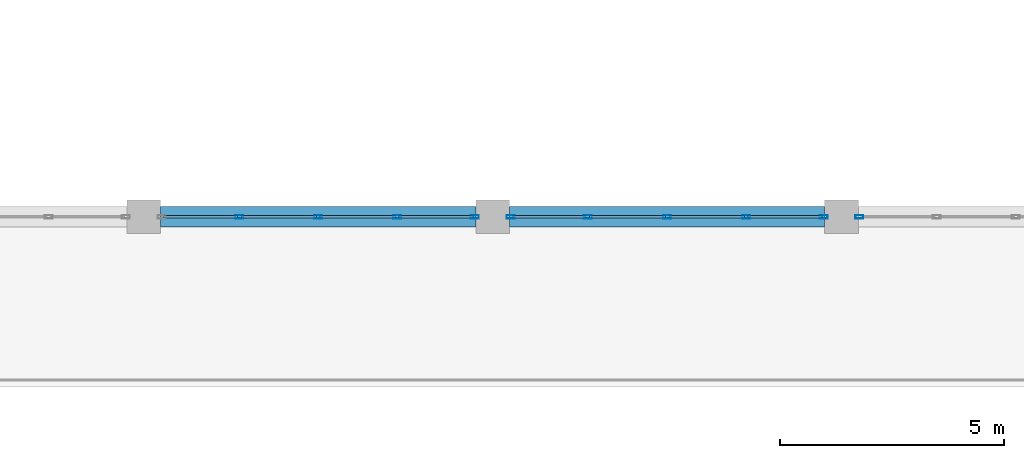
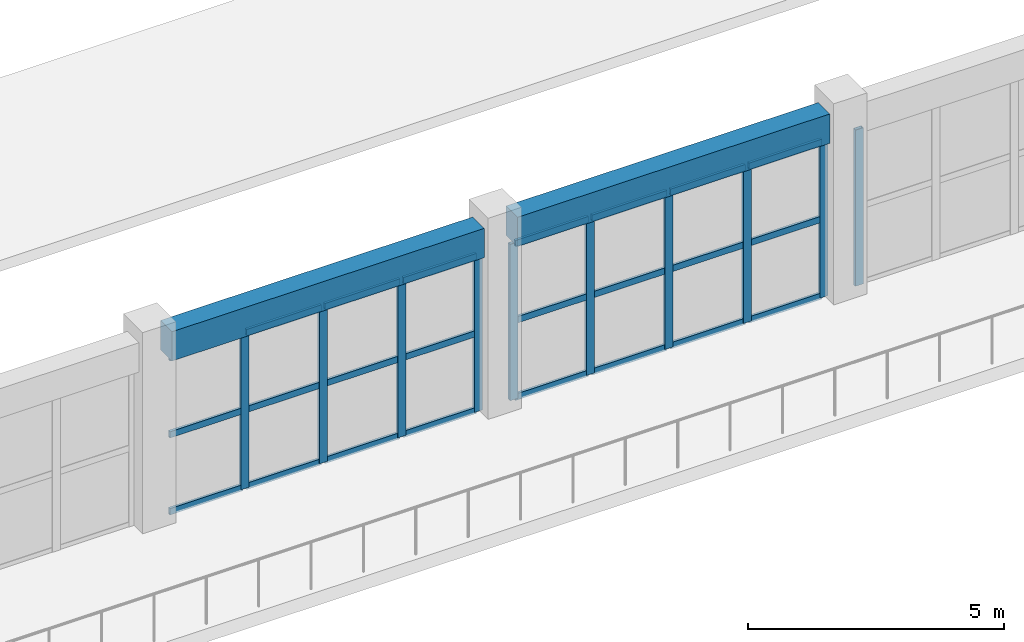
# One storey, part 39 of 167: 34 members, 2 beams, 3 elements without a shape of their own.
"""IFC4 building model written with IfcOpenShell, lengths in metres."""

from ifc_helpers import new_model, si_unit, direction, frame, origin, origin_2d, place, context, subcontext, project, spatial, rectangle, hollow_rectangle, extrude, material, layer, layer_set, material_profile, profile_set, type_object, element, aggregate, save


model = new_model("IFC4")

# Units and contexts
model_context = context("Model", 3, precision=1e-05, world=origin(), true_north=direction((0.0, 1.0)))
body_context = subcontext(model_context, "Body", "Model", "MODEL_VIEW")
ifc_project = project(units=[si_unit("LENGTHUNIT", "METRE"), si_unit("AREAUNIT", "SQUARE_METRE"), si_unit("VOLUMEUNIT", "CUBIC_METRE"), si_unit("PLANEANGLEUNIT", "RADIAN"), si_unit("MASSUNIT", "GRAM", prefix="KILO")], contexts=[model_context])

# Site, building, storey
site_placement = place(None, origin())
site = spatial("IfcSite", under=ifc_project, at=site_placement, CompositionType="ELEMENT")
building_placement = place(site_placement, origin())
building = spatial("IfcBuilding", under=site, at=building_placement, Name="Zizhar Promenade General Hospital", CompositionType="ELEMENT")
storey_placement = place(building_placement, frame((0.0, 0.0, 9.60009765625)))
storey = spatial("IfcBuildingStorey", under=building, at=storey_placement, Name="L02", CompositionType="ELEMENT", Elevation=9.60009765625)

# Beams
ifc_material_1 = material(Name="Concrete C35/45", Category="concrete")
ifc_material_profile_1 = material_profile(ifc_material_1, rectangle(XDim=0.449951171875, YDim=0.699951171875, at=origin_2d()))
ifc_profile_set_1 = profile_set([ifc_material_profile_1], Name="Concrete C35/45")
beam_type = type_object("IfcBeamType", Name="BM-RC-450x700", PredefinedType="BEAM", material=ifc_profile_set_1)
beam_1_placement = place(storey_placement, frame((93.97509765625, 50.39990234375, 4.119873046875), z_axis=(1.0, 0.0, 0.0), x_axis=(0.0, 1.0, 0.0)))
element("IfcBeam", 1, at=beam_1_placement, inside=storey, type_object=beam_type, Name="Grid Beam X L02 (12-6)", PredefinedType="BEAM", context=body_context, shape_type="SweptSolid", body=[
    extrude(rectangle(XDim=0.449951171875, YDim=0.699951171875, at=origin_2d()), origin(), (0.0, 0.0, 1.0), 7.0498046875),
])
beam_2_placement = place(storey_placement, frame((101.77490234375, 50.39990234375, 4.119873046875), z_axis=(1.0, 0.0, 0.0), x_axis=(0.0, 1.0, 0.0)))
element("IfcBeam", 2, at=beam_2_placement, inside=storey, type_object=beam_type, Name="Grid Beam X L02 (13-6)", PredefinedType="BEAM", context=body_context, shape_type="SweptSolid", body=[
    extrude(rectangle(XDim=0.449951171875, YDim=0.699951171875, at=origin_2d()), origin(), (0.0, 0.0, 1.0), 7.050048828125),
])

# Curtain wall, members
ifc_material_2 = material(Name="Anodised aluminium 6063-T6 and low-E glass", Category="aluminium")
ifc_layer = layer(ifc_material_2, 0.159912109375)
ifc_layer_set = layer_set([ifc_layer], Name="Anodised aluminium 6063-T6 and low-E glass")
curtain_wall_type = type_object("IfcCurtainWallType", Name="CW-HALL-N", PredefinedType="NOTDEFINED", material=ifc_layer_set)
curtain_wall_1_placement = place(storey_placement, origin())
curtain_wall_1 = element("IfcCurtainWall", 3, at=curtain_wall_1_placement, inside=storey, type_object=curtain_wall_type, Name="Main Hall Courtyard Curtain Wall L02-12", PredefinedType="NOTDEFINED")
ifc_material_3 = material(Name="Anodised aluminium 6063-T6", Category="aluminium")
ifc_material_profile_2 = material_profile(ifc_material_3, hollow_rectangle(XDim=0.080078125, YDim=0.179931640625, WallThickness=0.0048828125, at=origin_2d()))
ifc_profile_set_2 = profile_set([ifc_material_profile_2], Name="Anodised aluminium 6063-T6")
member_type_1 = type_object("IfcMemberType", Name="CWM-ALU-180x80", PredefinedType="MULLION", material=ifc_profile_set_2)
member_1_placement = place(storey_placement, frame((95.72998046875, 50.39990234375, 0.0), z_axis=(0.0, 0.0, 1.0), x_axis=(0.0, 1.0, 0.0)))
member_1 = element("IfcMember", 4, at=member_1_placement, type_object=member_type_1, Name="CW-02 mullion 2", PredefinedType="MULLION", context=body_context, shape_type="SweptSolid", body=[
    extrude(hollow_rectangle(XDim=0.080078125, YDim=0.179931640625, WallThickness=0.0048828125, at=origin_2d()), origin(), (0.0, 0.0, 1.0), 3.72998046875),
])
member_2_placement = place(storey_placement, frame((97.5, 50.39990234375, 0.0), z_axis=(0.0, 0.0, 1.0), x_axis=(0.0, 1.0, 0.0)))
member_2 = element("IfcMember", 5, at=member_2_placement, type_object=member_type_1, Name="CW-02 mullion 3", PredefinedType="MULLION", context=body_context, shape_type="SweptSolid", body=[
    extrude(hollow_rectangle(XDim=0.080078125, YDim=0.179931640625, WallThickness=0.0048828125, at=origin_2d()), origin(), (0.0, 0.0, 1.0), 3.72998046875),
])
member_3_placement = place(storey_placement, frame((99.27001953125, 50.39990234375, 0.0), z_axis=(0.0, 0.0, 1.0), x_axis=(0.0, 1.0, 0.0)))
member_3 = element("IfcMember", 6, at=member_3_placement, type_object=member_type_1, Name="CW-02 mullion 4", PredefinedType="MULLION", context=body_context, shape_type="SweptSolid", body=[
    extrude(hollow_rectangle(XDim=0.080078125, YDim=0.179931640625, WallThickness=0.0048828125, at=origin_2d()), origin(), (0.0, 0.0, 1.0), 3.72998046875),
])
member_4_placement = place(storey_placement, frame((101.0, 50.39990234375, 0.0), z_axis=(0.0, 0.0, 1.0), x_axis=(0.0, 1.0, 0.0)))
member_4 = element("IfcMember", 7, at=member_4_placement, type_object=member_type_1, Name="CW-02 mullion 5", PredefinedType="MULLION", context=body_context, shape_type="SweptSolid", body=[
    extrude(hollow_rectangle(XDim=0.080078125, YDim=0.179931640625, WallThickness=0.0048828125, at=origin_2d()), origin(), (0.0, 0.0, 1.0), 3.72998046875),
])

curtain_wall_2_placement = place(storey_placement, origin())
curtain_wall_2 = element("IfcCurtainWall", 8, at=curtain_wall_2_placement, inside=storey, type_object=curtain_wall_type, Name="Main Hall Courtyard Curtain Wall L02-13", PredefinedType="NOTDEFINED")
member_5_placement = place(storey_placement, frame((101.800048828125, 50.39990234375, 0.0), z_axis=(0.0, 0.0, 1.0), x_axis=(0.0, 1.0, 0.0)))
member_5 = element("IfcMember", 9, at=member_5_placement, type_object=member_type_1, Name="CW-02 mullion 1", PredefinedType="MULLION", context=body_context, shape_type="SweptSolid", body=[
    extrude(hollow_rectangle(XDim=0.080078125, YDim=0.179931640625, WallThickness=0.0048828125, at=origin_2d()), origin(), (0.0, 0.0, 1.0), 3.72998046875),
])
member_6_placement = place(storey_placement, frame((103.530029296875, 50.39990234375, 0.0), z_axis=(0.0, 0.0, 1.0), x_axis=(0.0, 1.0, 0.0)))
member_6 = element("IfcMember", 10, at=member_6_placement, type_object=member_type_1, Name="CW-02 mullion 2", PredefinedType="MULLION", context=body_context, shape_type="SweptSolid", body=[
    extrude(hollow_rectangle(XDim=0.080078125, YDim=0.179931640625, WallThickness=0.0048828125, at=origin_2d()), origin(), (0.0, 0.0, 1.0), 3.72998046875),
])
member_7_placement = place(storey_placement, frame((105.300048828125, 50.39990234375, 0.0), z_axis=(0.0, 0.0, 1.0), x_axis=(0.0, 1.0, 0.0)))
member_7 = element("IfcMember", 11, at=member_7_placement, type_object=member_type_1, Name="CW-02 mullion 3", PredefinedType="MULLION", context=body_context, shape_type="SweptSolid", body=[
    extrude(hollow_rectangle(XDim=0.080078125, YDim=0.179931640625, WallThickness=0.0048828125, at=origin_2d()), origin(), (0.0, 0.0, 1.0), 3.72998046875),
])
member_8_placement = place(storey_placement, frame((107.070068359375, 50.39990234375, 0.0), z_axis=(0.0, 0.0, 1.0), x_axis=(0.0, 1.0, 0.0)))
member_8 = element("IfcMember", 12, at=member_8_placement, type_object=member_type_1, Name="CW-02 mullion 4", PredefinedType="MULLION", context=body_context, shape_type="SweptSolid", body=[
    extrude(hollow_rectangle(XDim=0.080078125, YDim=0.179931640625, WallThickness=0.0048828125, at=origin_2d()), origin(), (0.0, 0.0, 1.0), 3.72998046875),
])
member_9_placement = place(storey_placement, frame((108.800048828125, 50.39990234375, 0.0), z_axis=(0.0, 0.0, 1.0), x_axis=(0.0, 1.0, 0.0)))
member_9 = element("IfcMember", 13, at=member_9_placement, type_object=member_type_1, Name="CW-02 mullion 5", PredefinedType="MULLION", context=body_context, shape_type="SweptSolid", body=[
    extrude(hollow_rectangle(XDim=0.080078125, YDim=0.179931640625, WallThickness=0.0048828125, at=origin_2d()), origin(), (0.0, 0.0, 1.0), 3.72998046875),
])

# Curtain wall, member
curtain_wall_3_placement = place(storey_placement, origin())
curtain_wall_3 = element("IfcCurtainWall", 14, at=curtain_wall_3_placement, inside=storey, type_object=curtain_wall_type, Name="Main Hall Courtyard Curtain Wall L02-14", PredefinedType="NOTDEFINED")
member_10_placement = place(storey_placement, frame((109.60009765625, 50.39990234375, 0.0), z_axis=(0.0, 0.0, 1.0), x_axis=(0.0, 1.0, 0.0)))
member_10 = element("IfcMember", 15, at=member_10_placement, type_object=member_type_1, Name="CW-02 mullion 1", PredefinedType="MULLION", context=body_context, shape_type="SweptSolid", body=[
    extrude(hollow_rectangle(XDim=0.080078125, YDim=0.179931640625, WallThickness=0.0048828125, at=origin_2d()), origin(), (0.0, 0.0, 1.0), 3.72998046875),
])
aggregate(curtain_wall_3, [member_10])

# Member
ifc_material_4 = material(Name="Anodised aluminium 6063-T6", Category="aluminium")
ifc_material_profile_3 = material_profile(ifc_material_4, hollow_rectangle(XDim=0.06005859375, YDim=0.14990234375, WallThickness=0.00390625, at=origin_2d()))
ifc_profile_set_3 = profile_set([ifc_material_profile_3], Name="Anodised aluminium 6063-T6")
member_type_2 = type_object("IfcMemberType", Name="CWT-ALU-150x60", PredefinedType="USERDEFINED", material=ifc_profile_set_3)
member_11_placement = place(storey_placement, frame((94.0400390625, 50.39990234375, 0.02978515625), z_axis=(1.0, 0.0, 0.0), x_axis=(0.0, 1.0, 0.0)))
member_11 = element("IfcMember", 16, at=member_11_placement, type_object=member_type_2, Name="CW-02 transom 1.1", ObjectType="TRANSOM", PredefinedType="USERDEFINED", context=body_context, shape_type="SweptSolid", body=[
    extrude(hollow_rectangle(XDim=0.06005859375, YDim=0.14990234375, WallThickness=0.00390625, at=origin_2d()), origin(), (0.0, 0.0, 1.0), 1.64990234375),
])

member_12_placement = place(storey_placement, frame((94.0400390625, 50.39990234375, 1.864990234375), z_axis=(1.0, 0.0, 0.0), x_axis=(0.0, 1.0, 0.0)))
member_12 = element("IfcMember", 17, at=member_12_placement, type_object=member_type_2, Name="CW-02 transom 1.2", ObjectType="TRANSOM", PredefinedType="USERDEFINED", context=body_context, shape_type="SweptSolid", body=[
    extrude(hollow_rectangle(XDim=0.06005859375, YDim=0.14990234375, WallThickness=0.00390625, at=origin_2d()), origin(), (0.0, 0.0, 1.0), 1.64990234375),
])

member_13_placement = place(storey_placement, frame((94.0400390625, 50.39990234375, 3.699951171875), z_axis=(1.0, 0.0, 0.0), x_axis=(0.0, 1.0, 0.0)))
member_13 = element("IfcMember", 18, at=member_13_placement, type_object=member_type_2, Name="CW-02 transom 1.3", ObjectType="TRANSOM", PredefinedType="USERDEFINED", context=body_context, shape_type="SweptSolid", body=[
    extrude(hollow_rectangle(XDim=0.06005859375, YDim=0.14990234375, WallThickness=0.00390625, at=origin_2d()), origin(), (0.0, 0.0, 1.0), 1.64990234375),
])

member_14_placement = place(storey_placement, frame((95.77001953125, 50.39990234375, 0.02978515625), z_axis=(1.0, 0.0, 0.0), x_axis=(0.0, 1.0, 0.0)))
member_14 = element("IfcMember", 19, at=member_14_placement, type_object=member_type_2, Name="CW-02 transom 2.1", ObjectType="TRANSOM", PredefinedType="USERDEFINED", context=body_context, shape_type="SweptSolid", body=[
    extrude(hollow_rectangle(XDim=0.06005859375, YDim=0.14990234375, WallThickness=0.00390625, at=origin_2d()), origin(), (0.0, 0.0, 1.0), 1.68994140625),
])

member_15_placement = place(storey_placement, frame((95.77001953125, 50.39990234375, 1.864990234375), z_axis=(1.0, 0.0, 0.0), x_axis=(0.0, 1.0, 0.0)))
member_15 = element("IfcMember", 20, at=member_15_placement, type_object=member_type_2, Name="CW-02 transom 2.2", ObjectType="TRANSOM", PredefinedType="USERDEFINED", context=body_context, shape_type="SweptSolid", body=[
    extrude(hollow_rectangle(XDim=0.06005859375, YDim=0.14990234375, WallThickness=0.00390625, at=origin_2d()), origin(), (0.0, 0.0, 1.0), 1.68994140625),
])

member_16_placement = place(storey_placement, frame((95.77001953125, 50.39990234375, 3.699951171875), z_axis=(1.0, 0.0, 0.0), x_axis=(0.0, 1.0, 0.0)))
member_16 = element("IfcMember", 21, at=member_16_placement, type_object=member_type_2, Name="CW-02 transom 2.3", ObjectType="TRANSOM", PredefinedType="USERDEFINED", context=body_context, shape_type="SweptSolid", body=[
    extrude(hollow_rectangle(XDim=0.06005859375, YDim=0.14990234375, WallThickness=0.00390625, at=origin_2d()), origin(), (0.0, 0.0, 1.0), 1.68994140625),
])

member_17_placement = place(storey_placement, frame((97.5400390625, 50.39990234375, 0.02978515625), z_axis=(1.0, 0.0, 0.0), x_axis=(0.0, 1.0, 0.0)))
member_17 = element("IfcMember", 22, at=member_17_placement, type_object=member_type_2, Name="CW-02 transom 3.1", ObjectType="TRANSOM", PredefinedType="USERDEFINED", context=body_context, shape_type="SweptSolid", body=[
    extrude(hollow_rectangle(XDim=0.06005859375, YDim=0.14990234375, WallThickness=0.00390625, at=origin_2d()), origin(), (0.0, 0.0, 1.0), 1.68994140625),
])

member_18_placement = place(storey_placement, frame((97.5400390625, 50.39990234375, 1.864990234375), z_axis=(1.0, 0.0, 0.0), x_axis=(0.0, 1.0, 0.0)))
member_18 = element("IfcMember", 23, at=member_18_placement, type_object=member_type_2, Name="CW-02 transom 3.2", ObjectType="TRANSOM", PredefinedType="USERDEFINED", context=body_context, shape_type="SweptSolid", body=[
    extrude(hollow_rectangle(XDim=0.06005859375, YDim=0.14990234375, WallThickness=0.00390625, at=origin_2d()), origin(), (0.0, 0.0, 1.0), 1.68994140625),
])

member_19_placement = place(storey_placement, frame((97.5400390625, 50.39990234375, 3.699951171875), z_axis=(1.0, 0.0, 0.0), x_axis=(0.0, 1.0, 0.0)))
member_19 = element("IfcMember", 24, at=member_19_placement, type_object=member_type_2, Name="CW-02 transom 3.3", ObjectType="TRANSOM", PredefinedType="USERDEFINED", context=body_context, shape_type="SweptSolid", body=[
    extrude(hollow_rectangle(XDim=0.06005859375, YDim=0.14990234375, WallThickness=0.00390625, at=origin_2d()), origin(), (0.0, 0.0, 1.0), 1.68994140625),
])

member_20_placement = place(storey_placement, frame((99.31005859375, 50.39990234375, 0.02978515625), z_axis=(1.0, 0.0, 0.0), x_axis=(0.0, 1.0, 0.0)))
member_20 = element("IfcMember", 25, at=member_20_placement, type_object=member_type_2, Name="CW-02 transom 4.1", ObjectType="TRANSOM", PredefinedType="USERDEFINED", context=body_context, shape_type="SweptSolid", body=[
    extrude(hollow_rectangle(XDim=0.06005859375, YDim=0.14990234375, WallThickness=0.00390625, at=origin_2d()), origin(), (0.0, 0.0, 1.0), 1.64990234375),
])

member_21_placement = place(storey_placement, frame((99.31005859375, 50.39990234375, 1.864990234375), z_axis=(1.0, 0.0, 0.0), x_axis=(0.0, 1.0, 0.0)))
member_21 = element("IfcMember", 26, at=member_21_placement, type_object=member_type_2, Name="CW-02 transom 4.2", ObjectType="TRANSOM", PredefinedType="USERDEFINED", context=body_context, shape_type="SweptSolid", body=[
    extrude(hollow_rectangle(XDim=0.06005859375, YDim=0.14990234375, WallThickness=0.00390625, at=origin_2d()), origin(), (0.0, 0.0, 1.0), 1.64990234375),
])

member_22_placement = place(storey_placement, frame((99.31005859375, 50.39990234375, 3.699951171875), z_axis=(1.0, 0.0, 0.0), x_axis=(0.0, 1.0, 0.0)))
member_22 = element("IfcMember", 27, at=member_22_placement, type_object=member_type_2, Name="CW-02 transom 4.3", ObjectType="TRANSOM", PredefinedType="USERDEFINED", context=body_context, shape_type="SweptSolid", body=[
    extrude(hollow_rectangle(XDim=0.06005859375, YDim=0.14990234375, WallThickness=0.00390625, at=origin_2d()), origin(), (0.0, 0.0, 1.0), 1.64990234375),
])

aggregate(curtain_wall_1, [member_1, member_2, member_3, member_4, member_11, member_12, member_13, member_14, member_15, member_16, member_17, member_18, member_19, member_20, member_21, member_22])

member_23_placement = place(storey_placement, frame((101.840087890625, 50.39990234375, 0.02978515625), z_axis=(1.0, 0.0, 0.0), x_axis=(0.0, 1.0, 0.0)))
member_23 = element("IfcMember", 28, at=member_23_placement, type_object=member_type_2, Name="CW-02 transom 1.1", ObjectType="TRANSOM", PredefinedType="USERDEFINED", context=body_context, shape_type="SweptSolid", body=[
    extrude(hollow_rectangle(XDim=0.06005859375, YDim=0.14990234375, WallThickness=0.00390625, at=origin_2d()), origin(), (0.0, 0.0, 1.0), 1.64990234375),
])

member_24_placement = place(storey_placement, frame((101.840087890625, 50.39990234375, 1.864990234375), z_axis=(1.0, 0.0, 0.0), x_axis=(0.0, 1.0, 0.0)))
member_24 = element("IfcMember", 29, at=member_24_placement, type_object=member_type_2, Name="CW-02 transom 1.2", ObjectType="TRANSOM", PredefinedType="USERDEFINED", context=body_context, shape_type="SweptSolid", body=[
    extrude(hollow_rectangle(XDim=0.06005859375, YDim=0.14990234375, WallThickness=0.00390625, at=origin_2d()), origin(), (0.0, 0.0, 1.0), 1.64990234375),
])

member_25_placement = place(storey_placement, frame((101.840087890625, 50.39990234375, 3.699951171875), z_axis=(1.0, 0.0, 0.0), x_axis=(0.0, 1.0, 0.0)))
member_25 = element("IfcMember", 30, at=member_25_placement, type_object=member_type_2, Name="CW-02 transom 1.3", ObjectType="TRANSOM", PredefinedType="USERDEFINED", context=body_context, shape_type="SweptSolid", body=[
    extrude(hollow_rectangle(XDim=0.06005859375, YDim=0.14990234375, WallThickness=0.00390625, at=origin_2d()), origin(), (0.0, 0.0, 1.0), 1.64990234375),
])

member_26_placement = place(storey_placement, frame((103.570068359375, 50.39990234375, 0.02978515625), z_axis=(1.0, 0.0, 0.0), x_axis=(0.0, 1.0, 0.0)))
member_26 = element("IfcMember", 31, at=member_26_placement, type_object=member_type_2, Name="CW-02 transom 2.1", ObjectType="TRANSOM", PredefinedType="USERDEFINED", context=body_context, shape_type="SweptSolid", body=[
    extrude(hollow_rectangle(XDim=0.06005859375, YDim=0.14990234375, WallThickness=0.00390625, at=origin_2d()), origin(), (0.0, 0.0, 1.0), 1.68994140625),
])

member_27_placement = place(storey_placement, frame((103.570068359375, 50.39990234375, 1.864990234375), z_axis=(1.0, 0.0, 0.0), x_axis=(0.0, 1.0, 0.0)))
member_27 = element("IfcMember", 32, at=member_27_placement, type_object=member_type_2, Name="CW-02 transom 2.2", ObjectType="TRANSOM", PredefinedType="USERDEFINED", context=body_context, shape_type="SweptSolid", body=[
    extrude(hollow_rectangle(XDim=0.06005859375, YDim=0.14990234375, WallThickness=0.00390625, at=origin_2d()), origin(), (0.0, 0.0, 1.0), 1.68994140625),
])

member_28_placement = place(storey_placement, frame((103.570068359375, 50.39990234375, 3.699951171875), z_axis=(1.0, 0.0, 0.0), x_axis=(0.0, 1.0, 0.0)))
member_28 = element("IfcMember", 33, at=member_28_placement, type_object=member_type_2, Name="CW-02 transom 2.3", ObjectType="TRANSOM", PredefinedType="USERDEFINED", context=body_context, shape_type="SweptSolid", body=[
    extrude(hollow_rectangle(XDim=0.06005859375, YDim=0.14990234375, WallThickness=0.00390625, at=origin_2d()), origin(), (0.0, 0.0, 1.0), 1.68994140625),
])

member_29_placement = place(storey_placement, frame((105.340087890625, 50.39990234375, 0.02978515625), z_axis=(1.0, 0.0, 0.0), x_axis=(0.0, 1.0, 0.0)))
member_29 = element("IfcMember", 34, at=member_29_placement, type_object=member_type_2, Name="CW-02 transom 3.1", ObjectType="TRANSOM", PredefinedType="USERDEFINED", context=body_context, shape_type="SweptSolid", body=[
    extrude(hollow_rectangle(XDim=0.06005859375, YDim=0.14990234375, WallThickness=0.00390625, at=origin_2d()), origin(), (0.0, 0.0, 1.0), 1.68994140625),
])

member_30_placement = place(storey_placement, frame((105.340087890625, 50.39990234375, 1.864990234375), z_axis=(1.0, 0.0, 0.0), x_axis=(0.0, 1.0, 0.0)))
member_30 = element("IfcMember", 35, at=member_30_placement, type_object=member_type_2, Name="CW-02 transom 3.2", ObjectType="TRANSOM", PredefinedType="USERDEFINED", context=body_context, shape_type="SweptSolid", body=[
    extrude(hollow_rectangle(XDim=0.06005859375, YDim=0.14990234375, WallThickness=0.00390625, at=origin_2d()), origin(), (0.0, 0.0, 1.0), 1.68994140625),
])

member_31_placement = place(storey_placement, frame((105.340087890625, 50.39990234375, 3.699951171875), z_axis=(1.0, 0.0, 0.0), x_axis=(0.0, 1.0, 0.0)))
member_31 = element("IfcMember", 36, at=member_31_placement, type_object=member_type_2, Name="CW-02 transom 3.3", ObjectType="TRANSOM", PredefinedType="USERDEFINED", context=body_context, shape_type="SweptSolid", body=[
    extrude(hollow_rectangle(XDim=0.06005859375, YDim=0.14990234375, WallThickness=0.00390625, at=origin_2d()), origin(), (0.0, 0.0, 1.0), 1.68994140625),
])

member_32_placement = place(storey_placement, frame((107.110107421875, 50.39990234375, 0.02978515625), z_axis=(1.0, 0.0, 0.0), x_axis=(0.0, 1.0, 0.0)))
member_32 = element("IfcMember", 37, at=member_32_placement, type_object=member_type_2, Name="CW-02 transom 4.1", ObjectType="TRANSOM", PredefinedType="USERDEFINED", context=body_context, shape_type="SweptSolid", body=[
    extrude(hollow_rectangle(XDim=0.06005859375, YDim=0.14990234375, WallThickness=0.00390625, at=origin_2d()), origin(), (0.0, 0.0, 1.0), 1.64990234375),
])

member_33_placement = place(storey_placement, frame((107.110107421875, 50.39990234375, 1.864990234375), z_axis=(1.0, 0.0, 0.0), x_axis=(0.0, 1.0, 0.0)))
member_33 = element("IfcMember", 38, at=member_33_placement, type_object=member_type_2, Name="CW-02 transom 4.2", ObjectType="TRANSOM", PredefinedType="USERDEFINED", context=body_context, shape_type="SweptSolid", body=[
    extrude(hollow_rectangle(XDim=0.06005859375, YDim=0.14990234375, WallThickness=0.00390625, at=origin_2d()), origin(), (0.0, 0.0, 1.0), 1.64990234375),
])

member_34_placement = place(storey_placement, frame((107.110107421875, 50.39990234375, 3.699951171875), z_axis=(1.0, 0.0, 0.0), x_axis=(0.0, 1.0, 0.0)))
member_34 = element("IfcMember", 39, at=member_34_placement, type_object=member_type_2, Name="CW-02 transom 4.3", ObjectType="TRANSOM", PredefinedType="USERDEFINED", context=body_context, shape_type="SweptSolid", body=[
    extrude(hollow_rectangle(XDim=0.06005859375, YDim=0.14990234375, WallThickness=0.00390625, at=origin_2d()), origin(), (0.0, 0.0, 1.0), 1.64990234375),
])

aggregate(curtain_wall_2, [member_5, member_6, member_7, member_8, member_9, member_23, member_24, member_25, member_26, member_27, member_28, member_29, member_30, member_31, member_32, member_33, member_34])

save(model, "model.ifc")
